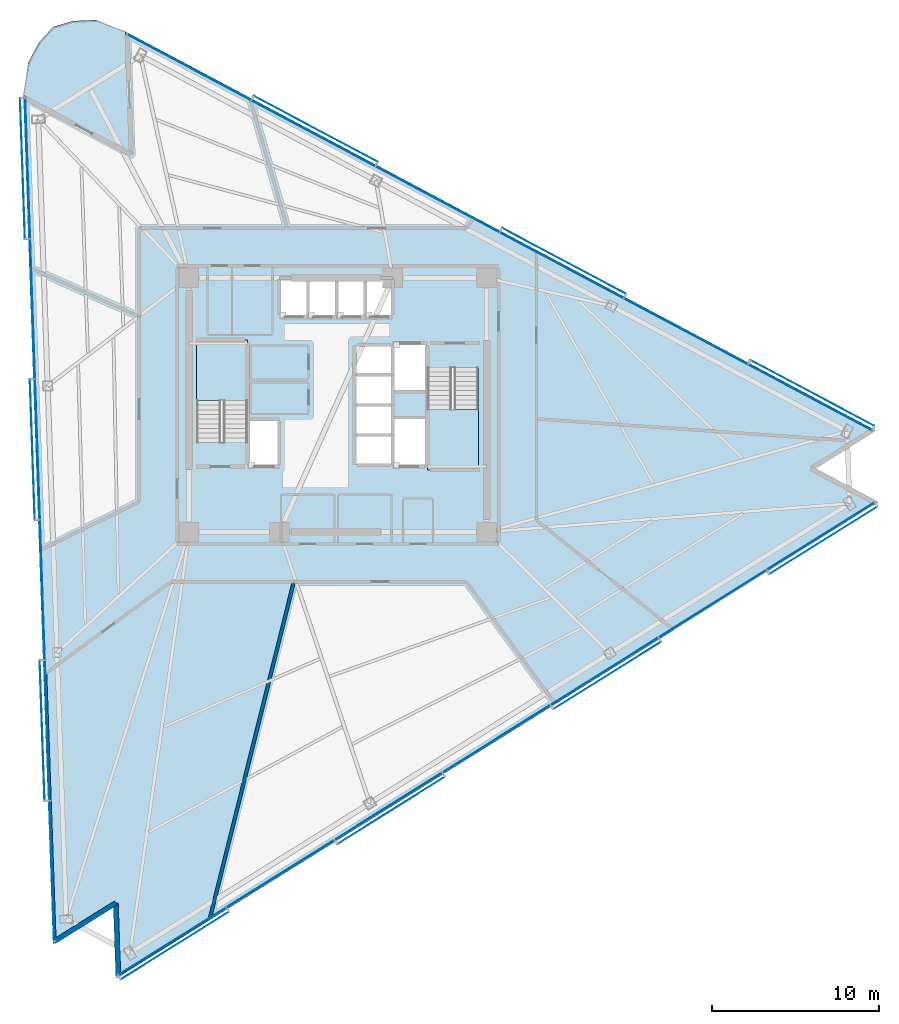
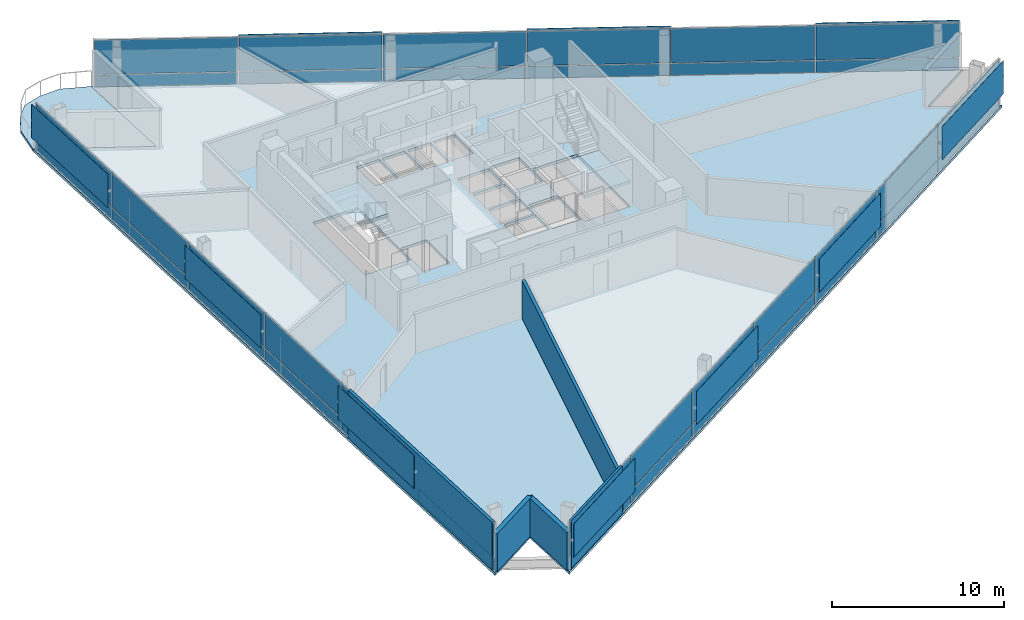
# One storey, part 11 of 21: 48 plates, 5 walls, 4 slabs, 5 elements without a shape of their own.
"""IFC4 building model written with IfcOpenShell, lengths in metres."""

from ifc_helpers import new_model, si_unit, direction, frame, frame_2d, origin, origin_2d, place, context, subcontext, project, spatial, polyline, rectangle, outline, extrude, material, layer, layer_set, type_object, element, aggregate, save


model = new_model("IFC4")

# Units and contexts
model_context = context("Model", 3, precision=1e-05, world=origin(), true_north=direction((0.0, 1.0)))
body_context = subcontext(model_context, "Body", "Model", "MODEL_VIEW")
ifc_project = project(units=[si_unit("LENGTHUNIT", "METRE"), si_unit("AREAUNIT", "SQUARE_METRE"), si_unit("VOLUMEUNIT", "CUBIC_METRE"), si_unit("PLANEANGLEUNIT", "RADIAN"), si_unit("MASSUNIT", "GRAM", prefix="KILO")], contexts=[model_context])

# Site, building, storey
site_placement = place(None, origin())
site = spatial("IfcSite", under=ifc_project, at=site_placement, CompositionType="ELEMENT")
building_placement = place(site_placement, origin())
building = spatial("IfcBuilding", under=site, at=building_placement, Name="Tharavind Bronze Gate", CompositionType="ELEMENT")
storey_placement = place(building_placement, frame((0.0, 0.0, 156.800048828125)))
storey = spatial("IfcBuildingStorey", under=building, at=storey_placement, Name="L40", CompositionType="ELEMENT", Elevation=156.800048828125)

# Plates
ifc_material_1 = material(Name="Perforated Bronze Alloy", Category="bronze")
ifc_layer_1 = layer(ifc_material_1, 0.011962890625)
ifc_layer_set_1 = layer_set([ifc_layer_1], Name="Perforated Bronze Alloy")
plate_type_1 = type_object("IfcPlateType", Name="BRONZE PERFORATED SOLAR SCREEN", PredefinedType="USERDEFINED", material=ifc_layer_set_1)
for number, where, z_axis, x_axis, name in (
    (1, (-18.867919921875, 14.1494140625, 0.966552734375), (0.0, 0.0, 1.0), (0.034899496703, -0.999390827019, 0.0), "CW-L40-S1 perforated bronze solar screen 1"),
    (2, (-18.280517578125, -2.66943359375, 0.966552734375), (0.0, 0.0, 1.0), (0.034899496703, -0.999390827019, 0.0), "CW-L40-S1 perforated bronze solar screen 3"),
    (3, (-17.693115234375, -19.48828125, 0.966552734375), (0.0, 0.0, 1.0), (0.034899496703, -0.999390827019, 0.0), "CW-L40-S1 perforated bronze solar screen 5"),
):
    element("IfcPlate", number, at=place(storey_placement, frame(where, z_axis=z_axis, x_axis=x_axis)), inside=storey, type_object=plate_type_1, Name=name, ObjectType="SCREEN", PredefinedType="USERDEFINED", context=body_context, shape_type="SweptSolid", body=[
        extrude(rectangle(XDim=8.39453125, YDim=0.011962890625, at=origin_2d()), origin(), (0.0, 0.0, 1.0), 2.376953125),
    ])
for number, where, z_axis, x_axis, name in (
    (4, (-9.75439453125, -32.3505859375, 0.966552734375), (0.0, 0.0, 1.0), (0.848048096156, 0.529919264233, 0.0), "CW-L40-S2 perforated bronze solar screen 1"),
    (5, (3.176513671875, -24.2705078125, 0.966552734375), (0.0, 0.0, 1.0), (0.848048096156, 0.529919264233, 0.0), "CW-L40-S2 perforated bronze solar screen 3"),
    (6, (16.107421875, -16.190185546875, 0.966552734375), (0.0, 0.0, 1.0), (0.848048096156, 0.529919264233, 0.0), "CW-L40-S2 perforated bronze solar screen 5"),
    (7, (29.0380859375, -8.110107421875, 0.966552734375), (0.0, 0.0, 1.0), (0.848048096156, 0.529919264233, 0.0), "CW-L40-S2 perforated bronze solar screen 7"),
):
    element("IfcPlate", number, at=place(storey_placement, frame(where, z_axis=z_axis, x_axis=x_axis)), inside=storey, type_object=plate_type_1, Name=name, ObjectType="SCREEN", PredefinedType="USERDEFINED", context=body_context, shape_type="SweptSolid", body=[
        extrude(rectangle(XDim=7.60400390625, YDim=0.011962890625, at=origin_2d()), origin(), (0.0, 0.0, 1.0), 2.376953125),
    ])
for number, where, z_axis, x_axis, name in (
    (8, (28.387451171875, 0.713134765625, 0.966552734375), (0.0, 0.0, 1.0), (-0.882947592859, 0.469471562786, 0.0), "CW-L40-S3 perforated bronze solar screen 1"),
    (9, (13.5283203125, 8.614013671875, 0.966552734375), (0.0, 0.0, 1.0), (-0.882947592859, 0.469471562786, 0.0), "CW-L40-S3 perforated bronze solar screen 3"),
    (10, (-1.3310546875, 16.514892578125, 0.966552734375), (0.0, 0.0, 1.0), (-0.882947592859, 0.469471562786, 0.0), "CW-L40-S3 perforated bronze solar screen 5"),
):
    element("IfcPlate", number, at=place(storey_placement, frame(where, z_axis=z_axis, x_axis=x_axis)), inside=storey, type_object=plate_type_1, Name=name, ObjectType="SCREEN", PredefinedType="USERDEFINED", context=body_context, shape_type="SweptSolid", body=[
        extrude(rectangle(XDim=8.39453125, YDim=0.011962890625, at=origin_2d()), origin(), (0.0, 0.0, 1.0), 2.376953125),
    ])

# Curtain wall, plates
ifc_material_2 = material(Name="Anodised Bronze Aluminium", Category="aluminium")
ifc_layer_2 = layer(ifc_material_2, 0.219970703125)
ifc_layer_set_2 = layer_set([ifc_layer_2], Name="Anodised Bronze Aluminium")
curtain_wall_type = type_object("IfcCurtainWallType", Name="UNITISED CURTAIN WALL MID OFFICE", PredefinedType="USERDEFINED", material=ifc_layer_set_2)
curtain_wall_1_placement = place(storey_placement, origin())
curtain_wall_1 = element("IfcCurtainWall", 11, at=curtain_wall_1_placement, inside=storey, type_object=curtain_wall_type, Name="L40 unitised curtain wall mid office CW-L40-S1", ObjectType="UNITISED CURTAIN WALL", PredefinedType="USERDEFINED")
ifc_material_3 = material(Name="Patinated Bronze Alloy Sheet", Category="bronze")
ifc_layer_3 = layer(ifc_material_3, 0.01611328125)
ifc_layer_set_3 = layer_set([ifc_layer_3], Name="Patinated Bronze Alloy Sheet")
plate_type_2 = type_object("IfcPlateType", Name="BRONZE SPANDREL CLADDING PANEL 16", PredefinedType="CURTAIN_PANEL", material=ifc_layer_set_3)
plate_1_placement = place(storey_placement, frame((-18.572998046875, 14.159912109375, 0.0263671875), z_axis=(0.0, 0.0, 1.0), x_axis=(0.034899496703, -0.999390827019, 0.0)))
plate_1 = element("IfcPlate", 12, at=plate_1_placement, type_object=plate_type_2, Name="CW-L40-S1 bronze spandrel panel 1", PredefinedType="CURTAIN_PANEL", context=body_context, shape_type="SweptSolid", body=[
    extrude(rectangle(XDim=8.361572265625, YDim=0.01611328125, at=origin_2d()), origin(), (0.0, 0.0, 1.0), 0.846923828125),
])
plate_2_placement = place(storey_placement, frame((-18.279296875, 5.750244140625, 0.0263671875), z_axis=(0.0, 0.0, 1.0), x_axis=(0.034899496703, -0.999390827019, 0.0)))
plate_2 = element("IfcPlate", 13, at=plate_2_placement, type_object=plate_type_2, Name="CW-L40-S1 bronze spandrel panel 2", PredefinedType="CURTAIN_PANEL", context=body_context, shape_type="SweptSolid", body=[
    extrude(rectangle(XDim=8.361572265625, YDim=0.01611328125, at=origin_2d()), origin(), (0.0, 0.0, 1.0), 0.846923828125),
])
plate_3_placement = place(storey_placement, frame((-17.985595703125, -2.6591796875, 0.0263671875), z_axis=(0.0, 0.0, 1.0), x_axis=(0.034899496703, -0.999390827019, 0.0)))
plate_3 = element("IfcPlate", 14, at=plate_3_placement, type_object=plate_type_2, Name="CW-L40-S1 bronze spandrel panel 3", PredefinedType="CURTAIN_PANEL", context=body_context, shape_type="SweptSolid", body=[
    extrude(rectangle(XDim=8.361572265625, YDim=0.01611328125, at=origin_2d()), origin(), (0.0, 0.0, 1.0), 0.846923828125),
])
plate_4_placement = place(storey_placement, frame((-17.69189453125, -11.068603515625, 0.0263671875), z_axis=(0.0, 0.0, 1.0), x_axis=(0.034899496703, -0.999390827019, 0.0)))
plate_4 = element("IfcPlate", 15, at=plate_4_placement, type_object=plate_type_2, Name="CW-L40-S1 bronze spandrel panel 4", PredefinedType="CURTAIN_PANEL", context=body_context, shape_type="SweptSolid", body=[
    extrude(rectangle(XDim=8.361572265625, YDim=0.01611328125, at=origin_2d()), origin(), (0.0, 0.0, 1.0), 0.846923828125),
])
plate_5_placement = place(storey_placement, frame((-17.398193359375, -19.477783203125, 0.0263671875), z_axis=(0.0, 0.0, 1.0), x_axis=(0.034899496703, -0.999390827019, 0.0)))
plate_5 = element("IfcPlate", 16, at=plate_5_placement, type_object=plate_type_2, Name="CW-L40-S1 bronze spandrel panel 5", PredefinedType="CURTAIN_PANEL", context=body_context, shape_type="SweptSolid", body=[
    extrude(rectangle(XDim=8.361572265625, YDim=0.01611328125, at=origin_2d()), origin(), (0.0, 0.0, 1.0), 0.846923828125),
])
plate_6_placement = place(storey_placement, frame((-17.1044921875, -27.887451171875, 0.0263671875), z_axis=(0.0, 0.0, 1.0), x_axis=(0.034899496703, -0.999390827019, 0.0)))
plate_6 = element("IfcPlate", 17, at=plate_6_placement, type_object=plate_type_2, Name="CW-L40-S1 bronze spandrel panel 6", PredefinedType="CURTAIN_PANEL", context=body_context, shape_type="SweptSolid", body=[
    extrude(rectangle(XDim=8.361572265625, YDim=0.01611328125, at=origin_2d()), origin(), (0.0, 0.0, 1.0), 0.846923828125),
])

curtain_wall_2_placement = place(storey_placement, origin())
curtain_wall_2 = element("IfcCurtainWall", 18, at=curtain_wall_2_placement, inside=storey, type_object=curtain_wall_type, Name="L40 unitised curtain wall mid office CW-L40-S2", ObjectType="UNITISED CURTAIN WALL", PredefinedType="USERDEFINED")
plate_7_placement = place(storey_placement, frame((-9.910888671875, -32.100341796875, 0.0263671875), z_axis=(0.0, 0.0, 1.0), x_axis=(0.848048096156, 0.529919264233, 0.0)))
plate_7 = element("IfcPlate", 19, at=plate_7_placement, type_object=plate_type_2, Name="CW-L40-S2 bronze spandrel panel 1", PredefinedType="CURTAIN_PANEL", context=body_context, shape_type="SweptSolid", body=[
    extrude(rectangle(XDim=7.57080078125, YDim=0.01611328125, at=origin_2d()), origin(), (0.0, 0.0, 1.0), 0.846923828125),
])
plate_8_placement = place(storey_placement, frame((-3.4453125, -28.060302734375, 0.0263671875), z_axis=(0.0, 0.0, 1.0), x_axis=(0.848048096156, 0.529919264233, 0.0)))
plate_8 = element("IfcPlate", 20, at=plate_8_placement, type_object=plate_type_2, Name="CW-L40-S2 bronze spandrel panel 2", PredefinedType="CURTAIN_PANEL", context=body_context, shape_type="SweptSolid", body=[
    extrude(rectangle(XDim=7.57080078125, YDim=0.01611328125, at=origin_2d()), origin(), (0.0, 0.0, 1.0), 0.846923828125),
])
plate_9_placement = place(storey_placement, frame((3.02001953125, -24.020263671875, 0.0263671875), z_axis=(0.0, 0.0, 1.0), x_axis=(0.848048096156, 0.529919264233, 0.0)))
plate_9 = element("IfcPlate", 21, at=plate_9_placement, type_object=plate_type_2, Name="CW-L40-S2 bronze spandrel panel 3", PredefinedType="CURTAIN_PANEL", context=body_context, shape_type="SweptSolid", body=[
    extrude(rectangle(XDim=7.57080078125, YDim=0.01611328125, at=origin_2d()), origin(), (0.0, 0.0, 1.0), 0.846923828125),
])
plate_10_placement = place(storey_placement, frame((9.485595703125, -19.97998046875, 0.0263671875), z_axis=(0.0, 0.0, 1.0), x_axis=(0.848048096156, 0.529919264233, 0.0)))
plate_10 = element("IfcPlate", 22, at=plate_10_placement, type_object=plate_type_2, Name="CW-L40-S2 bronze spandrel panel 4", PredefinedType="CURTAIN_PANEL", context=body_context, shape_type="SweptSolid", body=[
    extrude(rectangle(XDim=7.57080078125, YDim=0.01611328125, at=origin_2d()), origin(), (0.0, 0.0, 1.0), 0.846923828125),
])
plate_11_placement = place(storey_placement, frame((15.950927734375, -15.93994140625, 0.0263671875), z_axis=(0.0, 0.0, 1.0), x_axis=(0.848048096156, 0.529919264233, 0.0)))
plate_11 = element("IfcPlate", 23, at=plate_11_placement, type_object=plate_type_2, Name="CW-L40-S2 bronze spandrel panel 5", PredefinedType="CURTAIN_PANEL", context=body_context, shape_type="SweptSolid", body=[
    extrude(rectangle(XDim=7.57080078125, YDim=0.01611328125, at=origin_2d()), origin(), (0.0, 0.0, 1.0), 0.846923828125),
])
plate_12_placement = place(storey_placement, frame((22.41650390625, -11.89990234375, 0.0263671875), z_axis=(0.0, 0.0, 1.0), x_axis=(0.848048096156, 0.529919264233, 0.0)))
plate_12 = element("IfcPlate", 24, at=plate_12_placement, type_object=plate_type_2, Name="CW-L40-S2 bronze spandrel panel 6", PredefinedType="CURTAIN_PANEL", context=body_context, shape_type="SweptSolid", body=[
    extrude(rectangle(XDim=7.57080078125, YDim=0.01611328125, at=origin_2d()), origin(), (0.0, 0.0, 1.0), 0.846923828125),
])
plate_13_placement = place(storey_placement, frame((28.8818359375, -7.85986328125, 0.0263671875), z_axis=(0.0, 0.0, 1.0), x_axis=(0.848048096156, 0.529919264233, 0.0)))
plate_13 = element("IfcPlate", 25, at=plate_13_placement, type_object=plate_type_2, Name="CW-L40-S2 bronze spandrel panel 7", PredefinedType="CURTAIN_PANEL", context=body_context, shape_type="SweptSolid", body=[
    extrude(rectangle(XDim=7.57080078125, YDim=0.01611328125, at=origin_2d()), origin(), (0.0, 0.0, 1.0), 0.846923828125),
])

curtain_wall_3_placement = place(storey_placement, origin())
curtain_wall_3 = element("IfcCurtainWall", 26, at=curtain_wall_3_placement, inside=storey, type_object=curtain_wall_type, Name="L40 unitised curtain wall mid office CW-L40-S3", ObjectType="UNITISED CURTAIN WALL", PredefinedType="USERDEFINED")
plate_14_placement = place(storey_placement, frame((28.2490234375, 0.45263671875, 0.0263671875), z_axis=(0.0, 0.0, 1.0), x_axis=(-0.882947592859, 0.469471562786, 0.0)))
plate_14 = element("IfcPlate", 27, at=plate_14_placement, type_object=plate_type_2, Name="CW-L40-S3 bronze spandrel panel 1", PredefinedType="CURTAIN_PANEL", context=body_context, shape_type="SweptSolid", body=[
    extrude(rectangle(XDim=8.361572265625, YDim=0.01611328125, at=origin_2d()), origin(), (0.0, 0.0, 1.0), 0.846923828125),
])
plate_15_placement = place(storey_placement, frame((20.8193359375, 4.403076171875, 0.0263671875), z_axis=(0.0, 0.0, 1.0), x_axis=(-0.882947592859, 0.469471562786, 0.0)))
plate_15 = element("IfcPlate", 28, at=plate_15_placement, type_object=plate_type_2, Name="CW-L40-S3 bronze spandrel panel 2", PredefinedType="CURTAIN_PANEL", context=body_context, shape_type="SweptSolid", body=[
    extrude(rectangle(XDim=8.361572265625, YDim=0.01611328125, at=origin_2d()), origin(), (0.0, 0.0, 1.0), 0.846923828125),
])
plate_16_placement = place(storey_placement, frame((13.389892578125, 8.353515625, 0.0263671875), z_axis=(0.0, 0.0, 1.0), x_axis=(-0.882947592859, 0.469471562786, 0.0)))
plate_16 = element("IfcPlate", 29, at=plate_16_placement, type_object=plate_type_2, Name="CW-L40-S3 bronze spandrel panel 3", PredefinedType="CURTAIN_PANEL", context=body_context, shape_type="SweptSolid", body=[
    extrude(rectangle(XDim=8.361572265625, YDim=0.01611328125, at=origin_2d()), origin(), (0.0, 0.0, 1.0), 0.846923828125),
])
plate_17_placement = place(storey_placement, frame((5.960205078125, 12.303955078125, 0.0263671875), z_axis=(0.0, 0.0, 1.0), x_axis=(-0.882947592859, 0.469471562786, 0.0)))
plate_17 = element("IfcPlate", 30, at=plate_17_placement, type_object=plate_type_2, Name="CW-L40-S3 bronze spandrel panel 4", PredefinedType="CURTAIN_PANEL", context=body_context, shape_type="SweptSolid", body=[
    extrude(rectangle(XDim=8.361572265625, YDim=0.01611328125, at=origin_2d()), origin(), (0.0, 0.0, 1.0), 0.846923828125),
])
plate_18_placement = place(storey_placement, frame((-1.469482421875, 16.25439453125, 0.0263671875), z_axis=(0.0, 0.0, 1.0), x_axis=(-0.882947592859, 0.469471562786, 0.0)))
plate_18 = element("IfcPlate", 31, at=plate_18_placement, type_object=plate_type_2, Name="CW-L40-S3 bronze spandrel panel 5", PredefinedType="CURTAIN_PANEL", context=body_context, shape_type="SweptSolid", body=[
    extrude(rectangle(XDim=8.361572265625, YDim=0.01611328125, at=origin_2d()), origin(), (0.0, 0.0, 1.0), 0.846923828125),
])
plate_19_placement = place(storey_placement, frame((-8.899169921875, 20.20458984375, 0.0263671875), z_axis=(0.0, 0.0, 1.0), x_axis=(-0.882947592859, 0.469471562786, 0.0)))
plate_19 = element("IfcPlate", 32, at=plate_19_placement, type_object=plate_type_2, Name="CW-L40-S3 bronze spandrel panel 6", PredefinedType="CURTAIN_PANEL", context=body_context, shape_type="SweptSolid", body=[
    extrude(rectangle(XDim=8.361572265625, YDim=0.01611328125, at=origin_2d()), origin(), (0.0, 0.0, 1.0), 0.846923828125),
])

# Slab
ifc_material_4 = material(Name="Concrete C40/50", Category="concrete")
ifc_layer_4 = layer(ifc_material_4, 0.179931640625)
ifc_layer_set_4 = layer_set([ifc_layer_4], Name="Concrete C40/50")
slab_type_1 = type_object("IfcSlabType", Name="EXTERIOR BALCONY SLAB 180", PredefinedType="FLOOR", material=ifc_layer_set_4)
slab_1_placement = place(storey_placement, frame((0.0, 0.0, -0.179931640625)))
element("IfcSlab", 33, at=slab_1_placement, inside=storey, type_object=slab_type_1, Name="L40 northeast tree balcony slab", PredefinedType="FLOOR", context=body_context, shape_type="SweptSolid", body=[
    extrude(outline(polyline([(-14.45654296875, 23.033203125), (-15.835693359375, 22.975830078125), (-17.032470703125, 22.626220703125), (-17.87109375, 21.7041015625), (-18.527099609375, 20.489501953125), (-18.82568359375, 18.5341796875), (-12.468505859375, 15.15380859375), (-12.719970703125, 22.349609375), (-14.45654296875, 23.033203125)])), origin(), (0.0, 0.0, 1.0), 0.179931640625),
])

# Stair, slab
stair_type = type_object("IfcStairType", Name="CORE HALF TURN STAIR 1450", PredefinedType="HALF_TURN_STAIR", material=ifc_material_4)
stair_1_placement = place(storey_placement, origin())
stair_1 = element("IfcStair", 34, at=stair_1_placement, inside=storey, type_object=stair_type, Name="L40 Protected Exit Stair ST1", PredefinedType="HALF_TURN_STAIR")
ifc_layer_5 = layer(ifc_material_4, 0.199951171875)
ifc_layer_set_5 = layer_set([ifc_layer_5], Name="Concrete C40/50")
slab_type_2 = type_object("IfcSlabType", Name="STAIR LANDING SLAB 200", PredefinedType="LANDING", material=ifc_layer_set_5)
slab_2_placement = place(storey_placement, frame((0.0, 0.0, 1.599853515625)))
slab_2 = element("IfcSlab", 35, at=slab_2_placement, type_object=slab_type_2, Name="ST1 landing 1", PredefinedType="LANDING", context=body_context, shape_type="SweptSolid", body=[
    extrude(outline(polyline([(-5.39990234375, 0.27001953125), (-5.39990234375, 3.89990234375), (-8.449951171875, 3.89990234375), (-8.449951171875, 0.27001953125), (-5.39990234375, 0.27001953125)])), origin(), (0.0, 0.0, 1.0), 0.2001953125),
])
aggregate(stair_1, [slab_2])

stair_2_placement = place(storey_placement, origin())
stair_2 = element("IfcStair", 36, at=stair_2_placement, inside=storey, type_object=stair_type, Name="L40 Protected Exit Stair ST2", PredefinedType="HALF_TURN_STAIR")
slab_3_placement = place(storey_placement, frame((0.0, 0.0, 1.599853515625)))
slab_3 = element("IfcSlab", 37, at=slab_3_placement, type_object=slab_type_2, Name="ST2 landing 1", PredefinedType="LANDING", context=body_context, shape_type="SweptSolid", body=[
    extrude(outline(polyline([(5.35009765625, -0.27001953125), (5.35009765625, -3.89990234375), (8.39990234375, -3.89990234375), (8.39990234375, -0.27001953125), (5.35009765625, -0.27001953125)])), origin(), (0.0, 0.0, 1.0), 0.2001953125),
])
aggregate(stair_2, [slab_3])

# Slab
ifc_layer_6 = layer(ifc_material_4, 0.18994140625)
ifc_layer_set_6 = layer_set([ifc_layer_6], Name="Concrete C40/50")
slab_type_3 = type_object("IfcSlabType", Name="STRUCTURAL FLOOR SLAB 190", PredefinedType="FLOOR", material=ifc_layer_set_6)
slab_4_placement = place(storey_placement, frame((0.0, 0.0, -0.18994140625)))
element("IfcSlab", 38, at=slab_4_placement, inside=storey, type_object=slab_type_3, Name="L40 main structural floor slab", PredefinedType="FLOOR", context=body_context, shape_type="SweptSolid", body=[
    extrude(outline(polyline([(-12.719970703125, 22.349609375), (-12.468505859375, 15.15380859375), (-18.82568359375, 18.5341796875), (-17.0517578125, -32.268798828125), (-13.38818359375, -29.9794921875), (-13.2373046875, -34.296875), (32.314453125, -5.8330078125), (28.500244140625, -3.8046875), (32.163818359375, -1.515380859375), (-12.719970703125, 22.349609375)]), holes=[polyline([(-5.39990234375, -2.215087890625), (-5.39990234375, 3.89990234375), (-8.449951171875, 3.89990234375), (-8.449951171875, -2.215087890625), (-5.39990234375, -2.215087890625)]), polyline([(5.35009765625, 2.215087890625), (5.35009765625, -3.89990234375), (8.39990234375, -3.89990234375), (8.39990234375, 2.215087890625), (5.35009765625, 2.215087890625)]), polyline([(-3.419921875, 5.330078125), (-1.867431640625, 5.330078125), (-1.867431640625, 7.52001953125), (-3.419921875, 7.52001953125), (-3.419921875, 5.330078125)]), polyline([(-1.70751953125, 5.330078125), (-0.155029296875, 5.330078125), (-0.155029296875, 7.52001953125), (-1.70751953125, 7.52001953125), (-1.70751953125, 5.330078125)]), polyline([(0.0048828125, 5.330078125), (1.5576171875, 5.330078125), (1.5576171875, 7.52001953125), (0.0048828125, 7.52001953125), (0.0048828125, 5.330078125)]), polyline([(1.717529296875, 5.330078125), (3.199951171875, 5.330078125), (3.199951171875, 7.52001953125), (1.717529296875, 7.52001953125), (1.717529296875, 5.330078125)]), polyline([(1.080078125, -3.52001953125), (3.199951171875, -3.52001953125), (3.199951171875, -1.8798828125), (1.080078125, -1.8798828125), (1.080078125, -3.52001953125)]), polyline([(1.080078125, -1.719970703125), (3.199951171875, -1.719970703125), (3.199951171875, -0.080078125), (1.080078125, -0.080078125), (1.080078125, -1.719970703125)]), polyline([(1.080078125, 0.080078125), (3.199951171875, 0.080078125), (3.199951171875, 1.719970703125), (1.080078125, 1.719970703125), (1.080078125, 0.080078125)]), polyline([(1.080078125, 1.8798828125), (3.199951171875, 1.8798828125), (3.199951171875, 3.52001953125), (1.080078125, 3.52001953125), (1.080078125, 1.8798828125)]), polyline([(-5.320068359375, -3.6201171875), (-3.580078125, -3.6201171875), (-3.580078125, -0.929931640625), (-5.320068359375, -0.929931640625), (-5.320068359375, -3.6201171875)]), polyline([(3.360107421875, 0.8798828125), (5.27001953125, 0.8798828125), (5.27001953125, 3.6201171875), (3.360107421875, 3.6201171875), (3.360107421875, 0.8798828125)]), polyline([(3.360107421875, -3.6201171875), (5.27001953125, -3.6201171875), (5.27001953125, -0.830078125), (3.360107421875, -0.830078125), (3.360107421875, -3.6201171875)])]), origin(), (0.0, 0.0, 1.0), 0.18994140625),
])

# Plate
ifc_material_5 = material(Name="Triple Solar Control Glazing", Category="glass")
ifc_layer_7 = layer(ifc_material_5, 0.0439453125)
ifc_layer_set_7 = layer_set([ifc_layer_7], Name="Triple Solar Control Glazing")
plate_type_3 = type_object("IfcPlateType", Name="TRIPLE GLAZED FACADE PANEL 44", PredefinedType="CURTAIN_PANEL", material=ifc_layer_set_7)
plate_20_placement = place(storey_placement, frame((-18.572998046875, 14.159912109375, 0.926513671875), z_axis=(0.0, 0.0, 1.0), x_axis=(0.034899496703, -0.999390827019, 0.0)))
plate_20 = element("IfcPlate", 39, at=plate_20_placement, type_object=plate_type_3, Name="CW-L40-S1 vision glazing panel 1", PredefinedType="CURTAIN_PANEL", context=body_context, shape_type="SweptSolid", body=[
    extrude(rectangle(XDim=8.361572265625, YDim=0.0439453125, at=origin_2d()), origin(), (0.0, 0.0, 1.0), 2.45703125),
])

plate_21_placement = place(storey_placement, frame((-18.279296875, 5.750244140625, 0.926513671875), z_axis=(0.0, 0.0, 1.0), x_axis=(0.034899496703, -0.999390827019, 0.0)))
plate_21 = element("IfcPlate", 40, at=plate_21_placement, type_object=plate_type_3, Name="CW-L40-S1 vision glazing panel 2", PredefinedType="CURTAIN_PANEL", context=body_context, shape_type="SweptSolid", body=[
    extrude(rectangle(XDim=8.361572265625, YDim=0.0439453125, at=origin_2d()), origin(), (0.0, 0.0, 1.0), 2.45703125),
])

plate_22_placement = place(storey_placement, frame((-17.985595703125, -2.6591796875, 0.926513671875), z_axis=(0.0, 0.0, 1.0), x_axis=(0.034899496703, -0.999390827019, 0.0)))
plate_22 = element("IfcPlate", 41, at=plate_22_placement, type_object=plate_type_3, Name="CW-L40-S1 vision glazing panel 3", PredefinedType="CURTAIN_PANEL", context=body_context, shape_type="SweptSolid", body=[
    extrude(rectangle(XDim=8.361572265625, YDim=0.0439453125, at=origin_2d()), origin(), (0.0, 0.0, 1.0), 2.45703125),
])

plate_23_placement = place(storey_placement, frame((-17.69189453125, -11.068603515625, 0.926513671875), z_axis=(0.0, 0.0, 1.0), x_axis=(0.034899496703, -0.999390827019, 0.0)))
plate_23 = element("IfcPlate", 42, at=plate_23_placement, type_object=plate_type_3, Name="CW-L40-S1 vision glazing panel 4", PredefinedType="CURTAIN_PANEL", context=body_context, shape_type="SweptSolid", body=[
    extrude(rectangle(XDim=8.361572265625, YDim=0.0439453125, at=origin_2d()), origin(), (0.0, 0.0, 1.0), 2.45703125),
])

plate_24_placement = place(storey_placement, frame((-17.398193359375, -19.477783203125, 0.926513671875), z_axis=(0.0, 0.0, 1.0), x_axis=(0.034899496703, -0.999390827019, 0.0)))
plate_24 = element("IfcPlate", 43, at=plate_24_placement, type_object=plate_type_3, Name="CW-L40-S1 vision glazing panel 5", PredefinedType="CURTAIN_PANEL", context=body_context, shape_type="SweptSolid", body=[
    extrude(rectangle(XDim=8.361572265625, YDim=0.0439453125, at=origin_2d()), origin(), (0.0, 0.0, 1.0), 2.45703125),
])

plate_25_placement = place(storey_placement, frame((-17.1044921875, -27.887451171875, 0.926513671875), z_axis=(0.0, 0.0, 1.0), x_axis=(0.034899496703, -0.999390827019, 0.0)))
plate_25 = element("IfcPlate", 44, at=plate_25_placement, type_object=plate_type_3, Name="CW-L40-S1 vision glazing panel 6", PredefinedType="CURTAIN_PANEL", context=body_context, shape_type="SweptSolid", body=[
    extrude(rectangle(XDim=8.361572265625, YDim=0.0439453125, at=origin_2d()), origin(), (0.0, 0.0, 1.0), 2.45703125),
])

aggregate(curtain_wall_1, [plate_1, plate_20, plate_2, plate_21, plate_3, plate_22, plate_4, plate_23, plate_5, plate_24, plate_6, plate_25])

plate_26_placement = place(storey_placement, frame((-9.910888671875, -32.100341796875, 0.926513671875), z_axis=(0.0, 0.0, 1.0), x_axis=(0.848048096156, 0.529919264233, 0.0)))
plate_26 = element("IfcPlate", 45, at=plate_26_placement, type_object=plate_type_3, Name="CW-L40-S2 vision glazing panel 1", PredefinedType="CURTAIN_PANEL", context=body_context, shape_type="SweptSolid", body=[
    extrude(rectangle(XDim=7.57080078125, YDim=0.0439453125, at=origin_2d()), origin(), (0.0, 0.0, 1.0), 2.45703125),
])

plate_27_placement = place(storey_placement, frame((-3.4453125, -28.060302734375, 0.926513671875), z_axis=(0.0, 0.0, 1.0), x_axis=(0.848048096156, 0.529919264233, 0.0)))
plate_27 = element("IfcPlate", 46, at=plate_27_placement, type_object=plate_type_3, Name="CW-L40-S2 vision glazing panel 2", PredefinedType="CURTAIN_PANEL", context=body_context, shape_type="SweptSolid", body=[
    extrude(rectangle(XDim=7.57080078125, YDim=0.0439453125, at=origin_2d()), origin(), (0.0, 0.0, 1.0), 2.45703125),
])

plate_28_placement = place(storey_placement, frame((3.02001953125, -24.020263671875, 0.926513671875), z_axis=(0.0, 0.0, 1.0), x_axis=(0.848048096156, 0.529919264233, 0.0)))
plate_28 = element("IfcPlate", 47, at=plate_28_placement, type_object=plate_type_3, Name="CW-L40-S2 vision glazing panel 3", PredefinedType="CURTAIN_PANEL", context=body_context, shape_type="SweptSolid", body=[
    extrude(rectangle(XDim=7.57080078125, YDim=0.0439453125, at=origin_2d()), origin(), (0.0, 0.0, 1.0), 2.45703125),
])

plate_29_placement = place(storey_placement, frame((9.485595703125, -19.97998046875, 0.926513671875), z_axis=(0.0, 0.0, 1.0), x_axis=(0.848048096156, 0.529919264233, 0.0)))
plate_29 = element("IfcPlate", 48, at=plate_29_placement, type_object=plate_type_3, Name="CW-L40-S2 vision glazing panel 4", PredefinedType="CURTAIN_PANEL", context=body_context, shape_type="SweptSolid", body=[
    extrude(rectangle(XDim=7.57080078125, YDim=0.0439453125, at=origin_2d()), origin(), (0.0, 0.0, 1.0), 2.45703125),
])

plate_30_placement = place(storey_placement, frame((15.950927734375, -15.93994140625, 0.926513671875), z_axis=(0.0, 0.0, 1.0), x_axis=(0.848048096156, 0.529919264233, 0.0)))
plate_30 = element("IfcPlate", 49, at=plate_30_placement, type_object=plate_type_3, Name="CW-L40-S2 vision glazing panel 5", PredefinedType="CURTAIN_PANEL", context=body_context, shape_type="SweptSolid", body=[
    extrude(rectangle(XDim=7.57080078125, YDim=0.0439453125, at=origin_2d()), origin(), (0.0, 0.0, 1.0), 2.45703125),
])

plate_31_placement = place(storey_placement, frame((22.41650390625, -11.89990234375, 0.926513671875), z_axis=(0.0, 0.0, 1.0), x_axis=(0.848048096156, 0.529919264233, 0.0)))
plate_31 = element("IfcPlate", 50, at=plate_31_placement, type_object=plate_type_3, Name="CW-L40-S2 vision glazing panel 6", PredefinedType="CURTAIN_PANEL", context=body_context, shape_type="SweptSolid", body=[
    extrude(rectangle(XDim=7.57080078125, YDim=0.0439453125, at=origin_2d()), origin(), (0.0, 0.0, 1.0), 2.45703125),
])

plate_32_placement = place(storey_placement, frame((28.8818359375, -7.85986328125, 0.926513671875), z_axis=(0.0, 0.0, 1.0), x_axis=(0.848048096156, 0.529919264233, 0.0)))
plate_32 = element("IfcPlate", 51, at=plate_32_placement, type_object=plate_type_3, Name="CW-L40-S2 vision glazing panel 7", PredefinedType="CURTAIN_PANEL", context=body_context, shape_type="SweptSolid", body=[
    extrude(rectangle(XDim=7.57080078125, YDim=0.0439453125, at=origin_2d()), origin(), (0.0, 0.0, 1.0), 2.45703125),
])

aggregate(curtain_wall_2, [plate_7, plate_26, plate_8, plate_27, plate_9, plate_28, plate_10, plate_29, plate_11, plate_30, plate_12, plate_31, plate_13, plate_32])

plate_33_placement = place(storey_placement, frame((28.2490234375, 0.45263671875, 0.926513671875), z_axis=(0.0, 0.0, 1.0), x_axis=(-0.882947592859, 0.469471562786, 0.0)))
plate_33 = element("IfcPlate", 52, at=plate_33_placement, type_object=plate_type_3, Name="CW-L40-S3 vision glazing panel 1", PredefinedType="CURTAIN_PANEL", context=body_context, shape_type="SweptSolid", body=[
    extrude(rectangle(XDim=8.361572265625, YDim=0.0439453125, at=origin_2d()), origin(), (0.0, 0.0, 1.0), 2.45703125),
])

plate_34_placement = place(storey_placement, frame((20.8193359375, 4.403076171875, 0.926513671875), z_axis=(0.0, 0.0, 1.0), x_axis=(-0.882947592859, 0.469471562786, 0.0)))
plate_34 = element("IfcPlate", 53, at=plate_34_placement, type_object=plate_type_3, Name="CW-L40-S3 vision glazing panel 2", PredefinedType="CURTAIN_PANEL", context=body_context, shape_type="SweptSolid", body=[
    extrude(rectangle(XDim=8.361572265625, YDim=0.0439453125, at=origin_2d()), origin(), (0.0, 0.0, 1.0), 2.45703125),
])

plate_35_placement = place(storey_placement, frame((13.389892578125, 8.353515625, 0.926513671875), z_axis=(0.0, 0.0, 1.0), x_axis=(-0.882947592859, 0.469471562786, 0.0)))
plate_35 = element("IfcPlate", 54, at=plate_35_placement, type_object=plate_type_3, Name="CW-L40-S3 vision glazing panel 3", PredefinedType="CURTAIN_PANEL", context=body_context, shape_type="SweptSolid", body=[
    extrude(rectangle(XDim=8.361572265625, YDim=0.0439453125, at=origin_2d()), origin(), (0.0, 0.0, 1.0), 2.45703125),
])

plate_36_placement = place(storey_placement, frame((5.960205078125, 12.303955078125, 0.926513671875), z_axis=(0.0, 0.0, 1.0), x_axis=(-0.882947592859, 0.469471562786, 0.0)))
plate_36 = element("IfcPlate", 55, at=plate_36_placement, type_object=plate_type_3, Name="CW-L40-S3 vision glazing panel 4", PredefinedType="CURTAIN_PANEL", context=body_context, shape_type="SweptSolid", body=[
    extrude(rectangle(XDim=8.361572265625, YDim=0.0439453125, at=origin_2d()), origin(), (0.0, 0.0, 1.0), 2.45703125),
])

plate_37_placement = place(storey_placement, frame((-1.469482421875, 16.25439453125, 0.926513671875), z_axis=(0.0, 0.0, 1.0), x_axis=(-0.882947592859, 0.469471562786, 0.0)))
plate_37 = element("IfcPlate", 56, at=plate_37_placement, type_object=plate_type_3, Name="CW-L40-S3 vision glazing panel 5", PredefinedType="CURTAIN_PANEL", context=body_context, shape_type="SweptSolid", body=[
    extrude(rectangle(XDim=8.361572265625, YDim=0.0439453125, at=origin_2d()), origin(), (0.0, 0.0, 1.0), 2.45703125),
])

plate_38_placement = place(storey_placement, frame((-8.899169921875, 20.20458984375, 0.926513671875), z_axis=(0.0, 0.0, 1.0), x_axis=(-0.882947592859, 0.469471562786, 0.0)))
plate_38 = element("IfcPlate", 57, at=plate_38_placement, type_object=plate_type_3, Name="CW-L40-S3 vision glazing panel 6", PredefinedType="CURTAIN_PANEL", context=body_context, shape_type="SweptSolid", body=[
    extrude(rectangle(XDim=8.361572265625, YDim=0.0439453125, at=origin_2d()), origin(), (0.0, 0.0, 1.0), 2.45703125),
])

aggregate(curtain_wall_3, [plate_14, plate_33, plate_15, plate_34, plate_16, plate_35, plate_17, plate_36, plate_18, plate_37, plate_19, plate_38])

# Walls
ifc_layer_8 = layer(ifc_material_4, 0.300048828125)
ifc_layer_set_8 = layer_set([ifc_layer_8], Name="Concrete C40/50")
wall_type_1 = type_object("IfcWallType", Name="EXTERIOR SPANDREL WALL 300", PredefinedType="STANDARD", material=ifc_layer_set_8)
wall_1_placement = place(storey_placement, frame((-16.957763671875, -32.092041015625, 0.0), z_axis=(0.0, 0.0, 1.0), x_axis=(0.848068146975, 0.529887174866, 0.0)))
element("IfcWall", 58, at=wall_1_placement, inside=storey, type_object=wall_type_1, Name="L40 notch cheek wall 2A", PredefinedType="STANDARD", context=body_context, shape_type="SweptSolid", body=[
    extrude(rectangle(XDim=4.31982421875, YDim=0.300048828125, at=frame_2d((2.159912109375, 0.0))), origin(), (0.0, 0.0, 1.0), 2.704833984375),
])
wall_2_placement = place(storey_placement, frame((-13.294189453125, -29.802978515625, 0.0), z_axis=(0.0, 0.0, 1.0), x_axis=(0.034869079132, -0.999391888761, 0.0)))
element("IfcWall", 59, at=wall_2_placement, inside=storey, type_object=wall_type_1, Name="L40 notch cheek wall 2B", PredefinedType="STANDARD", context=body_context, shape_type="SweptSolid", body=[
    extrude(rectangle(XDim=4.320068359375, YDim=0.300048828125, at=frame_2d((2.16015625, 0.0))), origin(), (0.0, 0.0, 1.0), 2.704833984375),
])
ifc_material_6 = material(Name="Aerated Concrete Block", Category="concrete")
ifc_layer_9 = layer(ifc_material_6, 0.199951171875)
ifc_layer_set_9 = layer_set([ifc_layer_9], Name="Aerated Concrete Block")
wall_type_2 = type_object("IfcWallType", Name="FIRE RATED PARTITION 200", PredefinedType="PARTITIONING", material=ifc_layer_set_9)
wall_3_placement = place(storey_placement, frame((-2.6455078125, -10.611083984375, 0.0), z_axis=(0.0, 0.0, 1.0), x_axis=(-0.241932855274, -0.970292993656, 0.0)))
element("IfcWall", 60, at=wall_3_placement, inside=storey, type_object=wall_type_2, Name="L40 Public Restrooms Block partition", PredefinedType="PARTITIONING", context=body_context, shape_type="SweptSolid", body=[
    extrude(rectangle(XDim=20.68212890625, YDim=0.199951171875, at=frame_2d((10.341064453125, 0.0))), origin(), (0.0, 0.0, 1.0), 2.704833984375),
])
wall_4_placement = place(storey_placement, frame((-16.964111328125, -31.9130859375, 0.0), z_axis=(0.0, 0.0, 1.0), x_axis=(-0.034889540938, 0.999391174632, 0.0)))
element("IfcWall", 61, at=wall_4_placement, inside=storey, type_object=wall_type_2, Name="L40 Public Restrooms Block partition", PredefinedType="PARTITIONING", context=body_context, shape_type="SweptSolid", body=[
    extrude(rectangle(XDim=15.842529296875, YDim=0.199951171875, at=frame_2d((7.92138671875, 0.0))), origin(), (0.0, 0.0, 1.0), 3.409912109375),
])
ifc_material_7 = material(Name="Twin Stud Acoustic Gypsum", Category="gypsum")
ifc_layer_10 = layer(ifc_material_7, 0.14990234375)
ifc_layer_set_10 = layer_set([ifc_layer_10], Name="Twin Stud Acoustic Gypsum")
wall_type_3 = type_object("IfcWallType", Name="INTERIOR PARTITION WALL 150", PredefinedType="PARTITIONING", material=ifc_layer_set_10)
wall_5_placement = place(storey_placement, frame((-7.66015625, -30.69384765625, 0.0), z_axis=(0.0, 0.0, 1.0), x_axis=(-0.848046297007, -0.529922143463, 0.0)))
element("IfcWall", 62, at=wall_5_placement, inside=storey, type_object=wall_type_3, Name="L40 Public Restrooms Block partition", PredefinedType="PARTITIONING", context=body_context, shape_type="SweptSolid", body=[
    extrude(rectangle(XDim=6.286865234375, YDim=0.14990234375, at=frame_2d((3.1435546875, 0.0))), origin(), (0.0, 0.0, 1.0), 3.409912109375),
])

save(model, "model.ifc")
